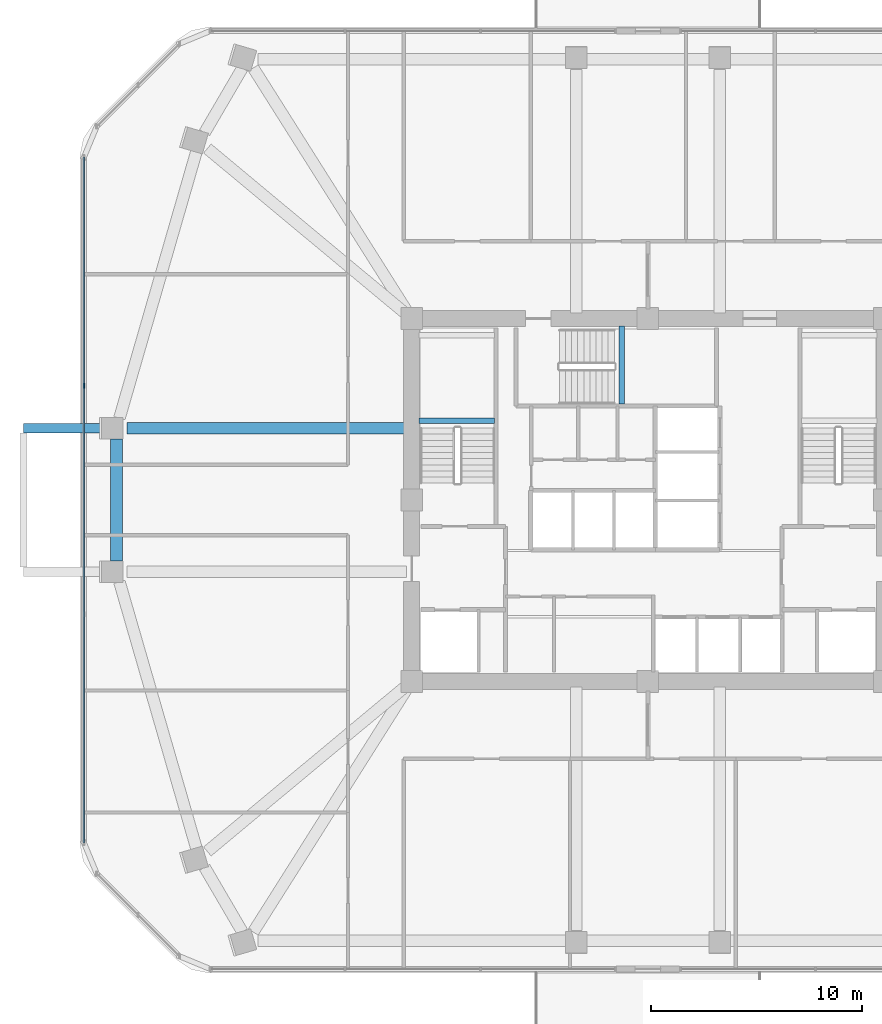
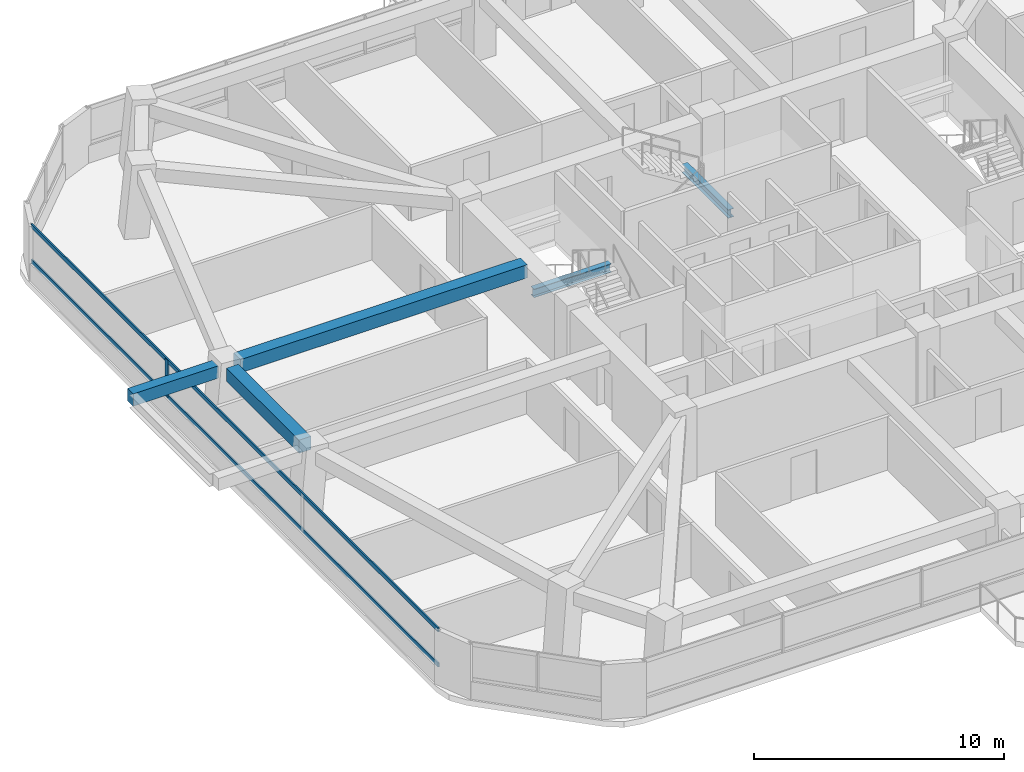
# One storey, part 3 of 13: 5 beams, 3 members, 1 element without a shape of its own.
"""IFC4 building model written with IfcOpenShell, lengths in metres."""

from ifc_helpers import new_model, si_unit, derived_unit, direction, frame, origin, origin_2d, place, context, subcontext, project, spatial, rectangle, i_section, extrude, material, material_profile, profile_set, type_object, element, aggregate, save


model = new_model("IFC4")

# Units and contexts
model_context = context("Model", 3, precision=1e-05, world=origin(), true_north=direction((0.0, 1.0)))
body_context = subcontext(model_context, "Body", "Model", "MODEL_VIEW")
ifc_project = project(units=[si_unit("LENGTHUNIT", "METRE"), si_unit("AREAUNIT", "SQUARE_METRE"), si_unit("VOLUMEUNIT", "CUBIC_METRE"), si_unit("PLANEANGLEUNIT", "RADIAN"), si_unit("MASSUNIT", "GRAM", prefix="KILO"), derived_unit("THERMALTRANSMITTANCEUNIT", [(si_unit("POWERUNIT", "WATT"), 1), (si_unit("LENGTHUNIT", "METRE"), -2), (si_unit("THERMODYNAMICTEMPERATUREUNIT", "KELVIN"), -1)])], contexts=[model_context])

# Site, building, storey
site_placement = place(None, origin())
site = spatial("IfcSite", under=ifc_project, at=site_placement, CompositionType="ELEMENT")
building_placement = place(site_placement, origin())
building = spatial("IfcBuilding", under=site, at=building_placement, Name="Koralith Skygarden Medical Center", CompositionType="ELEMENT")
storey_placement = place(building_placement, frame((0.0, 0.0, 88.3798828125)))
storey = spatial("IfcBuildingStorey", under=building, at=storey_placement, Name="L22", CompositionType="ELEMENT", Elevation=88.3798828125)

# Curtain wall, members
ifc_material_1 = material(Name="Clear Laminated Glass", Category="glass")
curtain_wall_type = type_object("IfcCurtainWallType", Name="CW-3 Zone 2 Faceted Solar Curtain Wall", PredefinedType="NOTDEFINED", material=ifc_material_1)
curtain_wall_placement = place(storey_placement, origin())
curtain_wall = element("IfcCurtainWall", 1, at=curtain_wall_placement, inside=storey, type_object=curtain_wall_type, Name="Curtain Wall CW-L22-W", PredefinedType="NOTDEFINED")
ifc_material_2 = material(Name="Aluminium 6063-T6", Category="aluminium")
ifc_material_profile_1 = material_profile(ifc_material_2, rectangle(XDim=0.073974609375, YDim=0.219970703125, at=origin_2d()), Name="MUL74X220")
ifc_profile_set_1 = profile_set([ifc_material_profile_1], Name="Aluminium 6063-T6")
member_type_1 = type_object("IfcMemberType", Name="CW-3 Extruded Mullion 74x220", PredefinedType="MULLION", material=ifc_profile_set_1)
member_1_placement = place(storey_placement, frame((10.280029296875, 31.31494140625, 0.85009765625), z_axis=(0.0, 0.0, 1.0), x_axis=(1.0, 0.0, 0.0)))
member_1 = element("IfcMember", 2, at=member_1_placement, type_object=member_type_1, Name="CW-L22-W Mullion 2", PredefinedType="MULLION", context=body_context, shape_type="SweptSolid", body=[
    extrude(rectangle(XDim=0.073974609375, YDim=0.219970703125, at=origin_2d()), origin(), (0.0, 0.0, 1.0), 1.820068359375),
])
ifc_material_profile_2 = material_profile(ifc_material_2, rectangle(XDim=0.069091796875, YDim=0.197998046875, at=origin_2d()), Name="TRN69X198")
ifc_profile_set_2 = profile_set([ifc_material_profile_2], Name="Aluminium 6063-T6")
member_type_2 = type_object("IfcMemberType", Name="CW-3 Thermal Transom 69x198", PredefinedType="USERDEFINED", material=ifc_profile_set_2)
member_2_placement = place(storey_placement, frame((10.280029296875, 42.14501953125, 0.900146484375), z_axis=(0.0, -1.0, 0.0), x_axis=(1.0, 0.0, 0.0)))
member_2 = element("IfcMember", 3, at=member_2_placement, type_object=member_type_2, Name="CW-L22-W Transom 1", ObjectType="TRANSOM", PredefinedType="USERDEFINED", context=body_context, shape_type="SweptSolid", body=[
    extrude(rectangle(XDim=0.069091796875, YDim=0.197998046875, at=origin_2d()), origin(), (0.0, 0.0, 1.0), 32.489990234375),
])
member_3_placement = place(storey_placement, frame((10.280029296875, 42.14501953125, 2.6201171875), z_axis=(0.0, -1.0, 0.0), x_axis=(1.0, 0.0, 0.0)))
member_3 = element("IfcMember", 4, at=member_3_placement, type_object=member_type_2, Name="CW-L22-W Transom 2", ObjectType="TRANSOM", PredefinedType="USERDEFINED", context=body_context, shape_type="SweptSolid", body=[
    extrude(rectangle(XDim=0.069091796875, YDim=0.197998046875, at=origin_2d()), origin(), (0.0, 0.0, 1.0), 32.489990234375),
])
aggregate(curtain_wall, [member_1, member_2, member_3])

# Beams
ifc_material_3 = material(Name="Steel ASTM A992 Grade 50", Category="steel")
ifc_material_profile_3 = material_profile(ifc_material_3, i_section(OverallWidth=0.260009765625, OverallDepth=0.4150390625, WebThickness=0.010009765625, FlangeThickness=0.016845703125, at=origin_2d()), Name="W16X67")
ifc_profile_set_3 = profile_set([ifc_material_profile_3], Name="Steel ASTM A992 Grade 50")
beam_type_1 = type_object("IfcBeamType", Name="Clinical Floor Joist W16X67", PredefinedType="JOIST", material=ifc_profile_set_3)
beam_1_placement = place(storey_placement, frame((26.155029296875, 29.659912109375, 1.39306640625), z_axis=(1.0, 0.0, 0.0), x_axis=(0.0, 1.0, 0.0)))
element("IfcBeam", 5, at=beam_1_placement, inside=storey, type_object=beam_type_1, Name="L22 Stair ST1 Half-Landing Support Beam 1A", PredefinedType="JOIST", context=body_context, shape_type="SweptSolid", body=[
    extrude(i_section(OverallWidth=0.260009765625, OverallDepth=0.4150390625, WebThickness=0.010009765625, FlangeThickness=0.016845703125, at=origin_2d()), origin(), (0.0, 0.0, 1.0), 3.56494140625),
])
beam_2_placement = place(storey_placement, frame((35.760009765625, 30.43994140625, 1.39306640625), z_axis=(0.0, 1.0, 0.0), x_axis=(-1.0, 0.0, 0.0)))
element("IfcBeam", 6, at=beam_2_placement, inside=storey, type_object=beam_type_1, Name="L22 Stair ST3 Half-Landing Support Beam 1A", PredefinedType="JOIST", context=body_context, shape_type="SweptSolid", body=[
    extrude(i_section(OverallWidth=0.260009765625, OverallDepth=0.4150390625, WebThickness=0.010009765625, FlangeThickness=0.016845703125, at=origin_2d()), origin(), (0.0, 0.0, 1.0), 3.705078125),
])
ifc_material_4 = material(Name="Concrete C45/55", Category="concrete")
ifc_material_profile_4 = material_profile(ifc_material_4, rectangle(XDim=0.449951171875, YDim=0.60009765625, at=origin_2d()), Name="RCB450X600")
ifc_profile_set_4 = profile_set([ifc_material_profile_4], Name="Concrete C45/55")
beam_type_2 = type_object("IfcBeamType", Name="Planted Balcony Cantilever Beam RCB450X600", PredefinedType="BEAM", material=ifc_profile_set_4)
beam_3_placement = place(storey_placement, frame((11.33203125, 29.300048828125, 3.0400390625), z_axis=(-1.0, 0.0, 0.0), x_axis=(0.0, -1.0, 0.0)))
element("IfcBeam", 7, at=beam_3_placement, inside=storey, type_object=beam_type_2, Name="L23 W Balcony Cantilever Beam B", PredefinedType="BEAM", context=body_context, shape_type="SweptSolid", body=[
    extrude(rectangle(XDim=0.449951171875, YDim=0.60009765625, at=origin_2d()), origin(), (0.0, 0.0, 1.0), 3.919921875),
])
ifc_material_profile_5 = material_profile(ifc_material_4, rectangle(XDim=0.550048828125, YDim=0.639892578125, at=origin_2d()), Name="RCB550X640")
ifc_profile_set_5 = profile_set([ifc_material_profile_5], Name="Concrete C45/55")
beam_type_3 = type_object("IfcBeamType", Name="Radial Collector Beam RCB550X640", PredefinedType="BEAM", material=ifc_profile_set_5)
beam_4_placement = place(storey_placement, frame((25.550048828125, 29.300048828125, 3.0), z_axis=(-1.0, 0.0, 0.0), x_axis=(0.0, -1.0, 0.0)))
element("IfcBeam", 8, at=beam_4_placement, inside=storey, type_object=beam_type_3, Name="L22 Radial Collector Beam RB-16", PredefinedType="BEAM", context=body_context, shape_type="SweptSolid", body=[
    extrude(rectangle(XDim=0.550048828125, YDim=0.639892578125, at=origin_2d()), origin(), (0.0, 0.0, 1.0), 13.22802734375),
])
ifc_material_profile_6 = material_profile(ifc_material_4, rectangle(XDim=0.550048828125, YDim=0.639892578125, at=origin_2d()), Name="RCB550X640")
ifc_profile_set_6 = profile_set([ifc_material_profile_6], Name="Concrete C45/55")
beam_type_4 = type_object("IfcBeamType", Name="Zone 2-3 Spandrel Beam RCB550X640", PredefinedType="SPANDREL", material=ifc_profile_set_6)
beam_5_placement = place(storey_placement, frame((11.822021484375, 28.800048828125, 3.0), z_axis=(0.0, -1.0, 0.0), x_axis=(1.0, 0.0, 0.0)))
element("IfcBeam", 9, at=beam_5_placement, inside=storey, type_object=beam_type_4, Name="L22 Perimeter Spandrel Beam SP-16", PredefinedType="SPANDREL", context=body_context, shape_type="SweptSolid", body=[
    extrude(rectangle(XDim=0.550048828125, YDim=0.639892578125, at=origin_2d()), origin(), (0.0, 0.0, 1.0), 5.800048828125),
])

save(model, "model.ifc")
